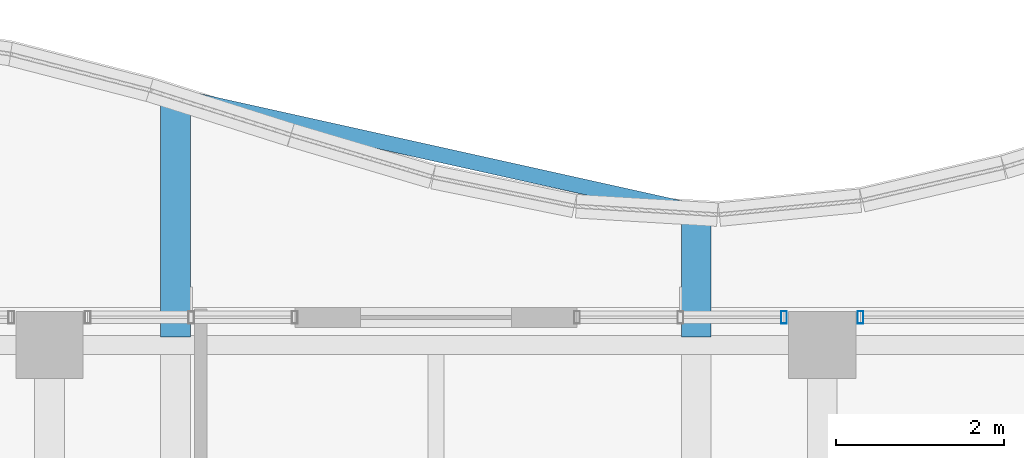
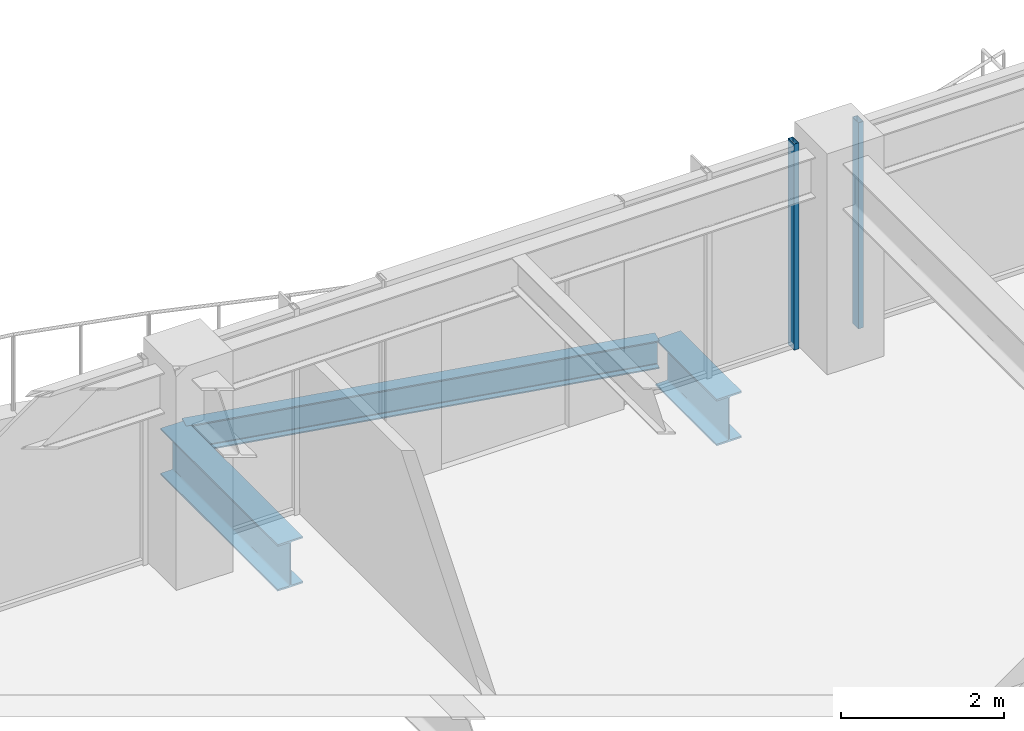
# One storey, part 18 of 36: 3 beams, 2 members, 2 elements without a shape of their own.
"""IFC4 building model written with IfcOpenShell, lengths in metres."""

import ifcopenshell
import ifcopenshell.guid

model = None  # the IFC model being written
_history = None  # IfcOwnerHistory: only IFC2X3 demands one
_inside = {}  # id of a spatial element -> (the spatial element, [elements in it])
_under = {}  # id of a project, library or spatial element -> (it, [spatial elements below it])
_declared = {}  # id of a project -> (the project, [libraries it declares])
_typed = {}  # id of a type object -> (the type object, [elements of that type])
_made_of = {}  # id of a material, layer set ... -> (it, [elements and type objects made of it])


def new_model(schema):
    """Start an empty IFC model of exactly this schema.

    Asked for "IFC4X3", IfcOpenShell would pick the latest addendum, in which some entities
    have other attributes; the version numbers below select the first issue.
    IFC2X3 requires an IfcOwnerHistory on every rooted entity: one is made here for all.
    """
    global model, _history
    if schema == "IFC4X3":
        model = ifcopenshell.file(schema_version=(4, 3, 0, 0))
    else:
        model = ifcopenshell.file(schema=schema)
    _inside.clear()
    _under.clear()
    _declared.clear()
    _typed.clear()
    _made_of.clear()
    _history = None
    if model.schema == "IFC2X3":
        org = make("IfcOrganization", Name="unknown")
        user = make(
            "IfcPersonAndOrganization",
            ThePerson=make("IfcPerson", FamilyName="unknown"),
            TheOrganization=org,
        )
        app = make(
            "IfcApplication",
            ApplicationDeveloper=org,
            Version="unknown",
            ApplicationFullName="unknown",
            ApplicationIdentifier="unknown",
        )
        _history = make(
            "IfcOwnerHistory",
            OwningUser=user,
            OwningApplication=app,
            ChangeAction="ADDED",
            CreationDate=0,
        )
    return model


def make(cls, **values):
    """One entity of the class cls with the attributes given. An attribute that is None is left unset."""
    return model.create_entity(
        cls, **{name: value for name, value in values.items() if value is not None}
    )


def rooted(cls, **values):
    """An entity with a GlobalId (a new one), such as an element, a storey or a relation."""
    return make(cls, GlobalId=ifcopenshell.guid.new(), OwnerHistory=_history, **values)


def si_unit(unit_type, name, prefix=None):
    """IfcSIUnit, for example si_unit("LENGTHUNIT", "METRE", prefix="MILLI")."""
    return make("IfcSIUnit", UnitType=unit_type, Prefix=prefix, Name=name)


def assignment(units):
    """IfcUnitAssignment: the units of a project."""
    return None if units is None else make("IfcUnitAssignment", Units=units)


def point(xyz):
    """IfcCartesianPoint."""
    return None if xyz is None else make("IfcCartesianPoint", Coordinates=xyz)


def direction(xyz):
    """IfcDirection."""
    return None if xyz is None else make("IfcDirection", DirectionRatios=xyz)


def frame(location, z_axis=None, x_axis=None):
    """IfcAxis2Placement3D, a coordinate frame: its origin and axes. An axis left out is left unset."""
    return make(
        "IfcAxis2Placement3D",
        Location=point(location),
        Axis=direction(z_axis),
        RefDirection=direction(x_axis),
    )


def frame_2d(location, x_axis=None):
    """IfcAxis2Placement2D, a coordinate frame in the plane: its origin and x axis."""
    return make(
        "IfcAxis2Placement2D", Location=point(location), RefDirection=direction(x_axis)
    )


def origin():
    """The frame at (0, 0, 0) with its axes left unset."""
    return frame((0.0, 0.0, 0.0))


def origin_2d():
    """The frame at (0, 0) in the plane with its x axis left unset."""
    return frame_2d((0.0, 0.0))


def place(relative_to, where):
    """IfcLocalPlacement: puts the frame where relative to a parent placement (None: the world)."""
    return make(
        "IfcLocalPlacement", PlacementRelTo=relative_to, RelativePlacement=where
    )


def context(
    kind, dimensions, precision=None, world=None, true_north=None, identifier=None
):
    """IfcGeometricRepresentationContext, for example the 3D "Model" context."""
    return make(
        "IfcGeometricRepresentationContext",
        ContextIdentifier=identifier,
        ContextType=kind,
        CoordinateSpaceDimension=dimensions,
        Precision=precision,
        WorldCoordinateSystem=world,
        TrueNorth=true_north,
    )


def subcontext(parent, identifier, kind, view, scale=None):
    """IfcGeometricRepresentationSubContext, for example "Body" below "Model"."""
    return make(
        "IfcGeometricRepresentationSubContext",
        ContextIdentifier=identifier,
        ContextType=kind,
        ParentContext=parent,
        TargetScale=scale,
        TargetView=view,
    )


def project(units=None, contexts=None):
    """IfcProject with its units and contexts."""
    return rooted(
        "IfcProject",
        Name="project",
        RepresentationContexts=contexts,
        UnitsInContext=assignment(units),
    )


def spatial(cls, under=None, at=None, **own):
    """A site, building, storey or space (cls), placed at a placement, below another one or the project."""
    s = rooted(cls, ObjectPlacement=at, **own)
    if under is not None:
        _under.setdefault(under.id(), (under, []))[1].append(s)
    return s


def profile(cls, at=None, kind="AREA", **sizes):
    """A parametric profile (cls). Its sizes go by their IFC names, for example OverallWidth=200.0."""
    return make(cls, ProfileType=kind, Position=at, **sizes)


def hollow_rectangle(**sizes):
    """IfcRectangleHollowProfileDef."""
    return profile("IfcRectangleHollowProfileDef", **sizes)


def i_section(**sizes):
    """IfcIShapeProfileDef."""
    return profile("IfcIShapeProfileDef", **sizes)


def extrude(swept, where, along, depth):
    """IfcExtrudedAreaSolid: the profile swept, set in the frame where, extruded along a direction by depth."""
    return make(
        "IfcExtrudedAreaSolid",
        SweptArea=swept,
        Position=where,
        ExtrudedDirection=direction(along),
        Depth=depth,
    )


def shape(context_of_items, identifier, shape_type, items):
    """IfcShapeRepresentation: the items that make up one representation, for example the "Body"."""
    return make(
        "IfcShapeRepresentation",
        ContextOfItems=context_of_items,
        RepresentationIdentifier=identifier,
        RepresentationType=shape_type,
        Items=items,
    )


def material(Name=None, Category=None):
    """IfcMaterial."""
    return make("IfcMaterial", Name=Name, Category=Category)


def material_profile(
    of_material, cross_section, Name=None, Category=None, Priority=None
):
    """IfcMaterialProfile: a cross section and its material."""
    return make(
        "IfcMaterialProfile",
        Name=Name,
        Material=of_material,
        Profile=cross_section,
        Priority=Priority,
        Category=Category,
    )


def profile_set(profiles, Name=None, composite=None):
    """IfcMaterialProfileSet."""
    return make(
        "IfcMaterialProfileSet",
        Name=Name,
        MaterialProfiles=profiles,
        CompositeProfile=composite,
    )


def made_of(thing, what):
    """Note that an element or type object is made of a material, layer set ...; save() writes the relation."""
    if what is not None:
        _made_of.setdefault(what.id(), (what, []))[1].append(thing)
    return thing


def type_object(cls, material=None, **own):
    """A type object (cls), such as IfcWallType, which elements share."""
    return made_of(rooted(cls, **own), material)


def element(
    cls,
    number,
    at=None,
    inside=None,
    cuts=None,
    type_object=None,
    material=None,
    context=None,
    identifier="Body",
    shape_type=None,
    held_by="IfcProductDefinitionShape",
    body=None,
    shapes=None,
    **own,
):
    """One element of the class cls, such as IfcWall. Its Tag is "e" and its number.

    at: its placement. inside: the storey or other place that contains it. cuts: it is an
    opening in that element (IfcRelVoidsElement). A single representation is given by context,
    identifier, shape_type and body (its items); several are given by shapes. held_by: the class
    of the entity that holds the representations. save() writes the other relations.
    """
    e = rooted(cls, Tag="e%d" % number, ObjectPlacement=at, **own)
    if body is not None:
        shapes = [shape(context, identifier, shape_type, body)]
    if shapes is not None:
        e.Representation = make(held_by, Representations=shapes)
    if inside is not None:
        _inside.setdefault(inside.id(), (inside, []))[1].append(e)
    if cuts is not None:
        rooted(
            "IfcRelVoidsElement", RelatingBuildingElement=cuts, RelatedOpeningElement=e
        )
    if type_object is not None:
        _typed.setdefault(type_object.id(), (type_object, []))[1].append(e)
    return made_of(e, material)


def aggregate(whole, parts):
    """IfcRelAggregates: a whole, such as a stair, and the parts it consists of."""
    return rooted("IfcRelAggregates", RelatingObject=whole, RelatedObjects=parts)


def save(model, path):
    """Write the relations noted so far, then the file.

    IfcRelAggregates (storeys below a building ...), IfcRelContainedInSpatialStructure (elements
    in a storey), IfcRelDefinesByType, IfcRelAssociatesMaterial and IfcRelDeclares: one each for
    every whole, place, type object, material and project.
    """
    for whole, parts in _under.values():
        aggregate(whole, parts)
    for where, things in _inside.values():
        rooted(
            "IfcRelContainedInSpatialStructure",
            RelatedElements=things,
            RelatingStructure=where,
        )
    for kind, things in _typed.values():
        rooted("IfcRelDefinesByType", RelatedObjects=things, RelatingType=kind)
    for what, things in _made_of.values():
        rooted("IfcRelAssociatesMaterial", RelatedObjects=things, RelatingMaterial=what)
    for by, libraries in _declared.values():
        rooted("IfcRelDeclares", RelatingContext=by, RelatedDefinitions=libraries)
    model.write(path)


model = new_model("IFC4")

# Units and contexts
model_context = context("Model", 3, precision=1e-05, world=origin(), true_north=direction((0.0, 1.0)))
body_context = subcontext(model_context, "Body", "Model", "MODEL_VIEW")
ifc_project = project(units=[si_unit("LENGTHUNIT", "METRE"), si_unit("AREAUNIT", "SQUARE_METRE"), si_unit("VOLUMEUNIT", "CUBIC_METRE"), si_unit("PLANEANGLEUNIT", "RADIAN"), si_unit("MASSUNIT", "GRAM", prefix="KILO")], contexts=[model_context])

# Site, building, storey
site_placement = place(None, origin())
site = spatial("IfcSite", under=ifc_project, at=site_placement, CompositionType="ELEMENT")
building_placement = place(site_placement, origin())
building = spatial("IfcBuilding", under=site, at=building_placement, Name="Kolvaren Belvedere", CompositionType="ELEMENT")
storey_placement = place(building_placement, frame((0.0, 0.0, 199.800048828125)))
storey = spatial("IfcBuildingStorey", under=building, at=storey_placement, Name="L58", CompositionType="ELEMENT", Elevation=199.800048828125)

# Beams
ifc_material_1 = material(Name="Structural steel ASTM A992 Grade 50", Category="steel")
ifc_material_profile_1 = material_profile(ifc_material_1, i_section(OverallWidth=0.35498046875, OverallDepth=0.696044921875, WebThickness=0.015380859375, FlangeThickness=0.02490234375, FilletRadius=0.02197265625, at=origin_2d()), Name="W27X146")
ifc_profile_set_1 = profile_set([ifc_material_profile_1], Name="Structural steel ASTM A992 Grade 50")
beam_type_1 = type_object("IfcBeamType", Name="BM-CANT-BAL", PredefinedType="BEAM", material=ifc_profile_set_1)
beam_1_placement = place(storey_placement, frame((-3.10009765625, 20.044921875, -0.568115234375), z_axis=(0.0, 1.0, 0.0), x_axis=(-1.0, 0.0, 0.0)))
element("IfcBeam", 1, at=beam_1_placement, inside=storey, type_object=beam_type_1, Name="L58 Planted Balcony Cantilever BAL-N-1", PredefinedType="BEAM", context=body_context, shape_type="SweptSolid", body=[
    extrude(i_section(OverallWidth=0.35498046875, OverallDepth=0.696044921875, WebThickness=0.015380859375, FlangeThickness=0.02490234375, FilletRadius=0.02197265625, at=origin_2d()), origin(), (0.0, 0.0, 1.0), 2.8701171875),
])
beam_2_placement = place(storey_placement, frame((3.10009765625, 20.044921875, -0.568115234375), z_axis=(0.0, 1.0, 0.0), x_axis=(-1.0, 0.0, 0.0)))
element("IfcBeam", 2, at=beam_2_placement, inside=storey, type_object=beam_type_1, Name="L58 Planted Balcony Cantilever BAL-N-2", PredefinedType="BEAM", context=body_context, shape_type="SweptSolid", body=[
    extrude(i_section(OverallWidth=0.35498046875, OverallDepth=0.696044921875, WebThickness=0.015380859375, FlangeThickness=0.02490234375, FilletRadius=0.02197265625, at=origin_2d()), origin(), (0.0, 0.0, 1.0), 1.49267578125),
])
ifc_material_2 = material(Name="Structural steel ASTM A992 Grade 50", Category="steel")
ifc_material_profile_2 = material_profile(ifc_material_2, i_section(OverallWidth=0.180908203125, OverallDepth=0.4169921875, WebThickness=0.010986328125, FlangeThickness=0.018310546875, FilletRadius=0.013916015625, at=origin_2d()), Name="W16X57")
ifc_profile_set_2 = profile_set([ifc_material_profile_2], Name="Structural steel ASTM A992 Grade 50")
beam_type_2 = type_object("IfcBeamType", Name="BM-EDGE-W16X57", PredefinedType="BEAM", material=ifc_profile_set_2)
beam_3_placement = place(storey_placement, frame((-2.96337890625, 22.884765625, -0.428466796875), z_axis=(0.97620125078, -0.216866590272, 0.0), x_axis=(0.216866590272, 0.97620125078, 0.0)))
element("IfcBeam", 3, at=beam_3_placement, inside=storey, type_object=beam_type_2, Name="L58 Balcony Tip Header Beam BAL-N", PredefinedType="BEAM", context=body_context, shape_type="SweptSolid", body=[
    extrude(i_section(OverallWidth=0.180908203125, OverallDepth=0.4169921875, WebThickness=0.010986328125, FlangeThickness=0.018310546875, FilletRadius=0.013916015625, at=origin_2d()), origin(), (0.0, 0.0, 1.0), 6.0712890625),
])

# Curtain wall, member
ifc_material_3 = material(Name="Anodised pale-metal aluminium AA 6063-T6", Category="aluminium")
curtain_wall_type = type_object("IfcCurtainWallType", Name="CW-Z5-HIGH", PredefinedType="NOTDEFINED", material=ifc_material_3)
curtain_wall_1_placement = place(storey_placement, origin())
curtain_wall_1 = element("IfcCurtainWall", 4, at=curtain_wall_1_placement, inside=storey, type_object=curtain_wall_type, Name="L58 Unitised Curtain Wall FCW-L58-N2-B1", PredefinedType="NOTDEFINED")
ifc_material_4 = material(Name="Anodised pale-metal aluminium AA 6063-T6", Category="aluminium")
ifc_material_profile_3 = material_profile(ifc_material_4, hollow_rectangle(XDim=0.070068359375, YDim=0.14990234375, WallThickness=0.004150390625, at=origin_2d()), Name="ALU-MUL-150X70")
ifc_profile_set_3 = profile_set([ifc_material_profile_3], Name="Anodised pale-metal aluminium AA 6063-T6")
member_type = type_object("IfcMemberType", Name="CW-MUL-150", PredefinedType="MULLION", material=ifc_profile_set_3)
member_1_placement = place(storey_placement, frame((4.14501953125, 20.280029296875, 0.0), z_axis=(0.0, 0.0, 1.0), x_axis=(1.0, 0.0, 0.0)))
member_1 = element("IfcMember", 5, at=member_1_placement, type_object=member_type, Name="FCW-L58-N2-B1 Unitised Mullion 3", PredefinedType="MULLION", context=body_context, shape_type="SweptSolid", body=[
    extrude(hollow_rectangle(XDim=0.070068359375, YDim=0.14990234375, WallThickness=0.004150390625, at=origin_2d()), origin(), (0.0, 0.0, 1.0), 3.079833984375),
])
aggregate(curtain_wall_1, [member_1])

curtain_wall_2_placement = place(storey_placement, origin())
curtain_wall_2 = element("IfcCurtainWall", 6, at=curtain_wall_2_placement, inside=storey, type_object=curtain_wall_type, Name="L58 Unitised Curtain Wall FCW-L58-N2-B2", PredefinedType="NOTDEFINED")
member_2_placement = place(storey_placement, frame((5.054931640625, 20.280029296875, 0.0), z_axis=(0.0, 0.0, 1.0), x_axis=(1.0, 0.0, 0.0)))
member_2 = element("IfcMember", 7, at=member_2_placement, type_object=member_type, Name="FCW-L58-N2-B2 Unitised Mullion 1", PredefinedType="MULLION", context=body_context, shape_type="SweptSolid", body=[
    extrude(hollow_rectangle(XDim=0.070068359375, YDim=0.14990234375, WallThickness=0.004150390625, at=origin_2d()), origin(), (0.0, 0.0, 1.0), 3.079833984375),
])
aggregate(curtain_wall_2, [member_2])

save(model, "model.ifc")
